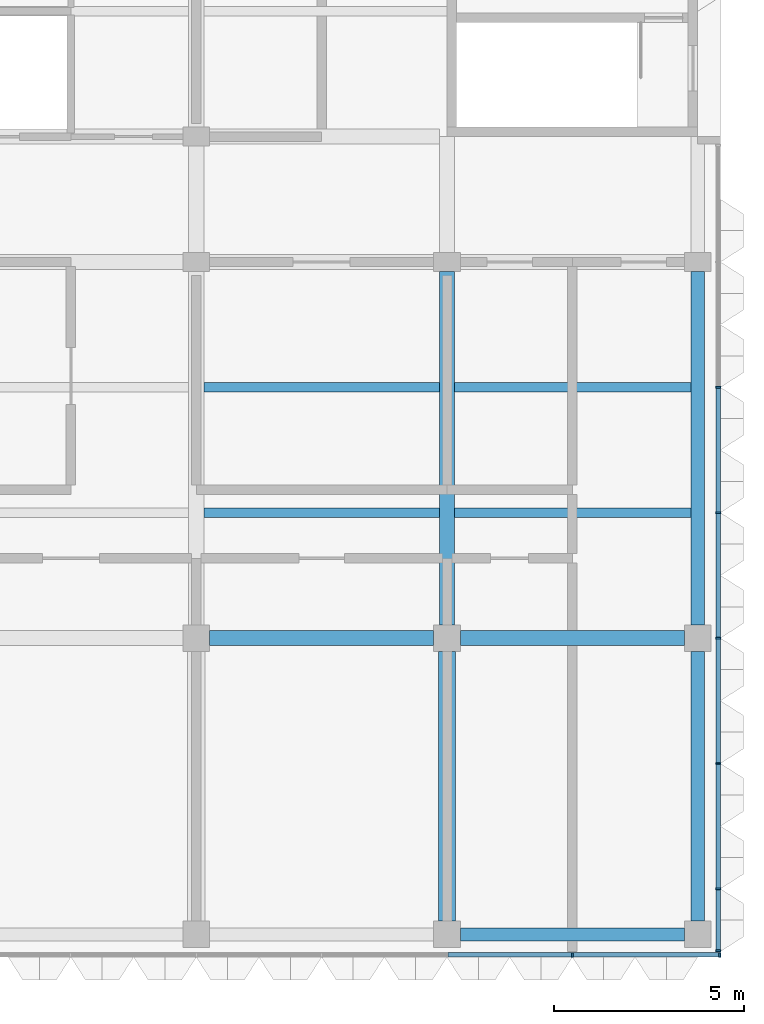
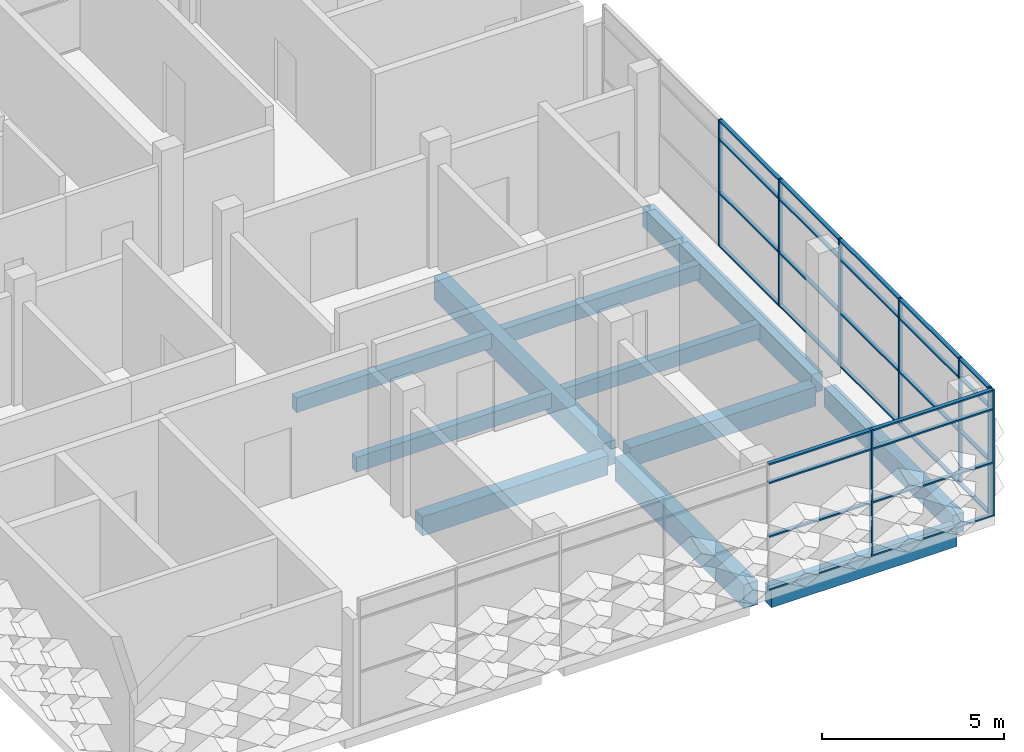
# One storey, part 3 of 21: 36 members, 11 beams, 2 elements without a shape of their own.
"""IFC4 building model written with IfcOpenShell, lengths in metres."""

from ifc_helpers import new_model, si_unit, direction, frame, origin, origin_2d, place, context, subcontext, project, spatial, rectangle, extrude, material, material_profile, profile_set, type_object, element, aggregate, save


model = new_model("IFC4")

# Units and contexts
model_context = context("Model", 3, precision=1e-05, world=origin(), true_north=direction((0.0, 1.0)))
body_context = subcontext(model_context, "Body", "Model", "MODEL_VIEW")
ifc_project = project(units=[si_unit("LENGTHUNIT", "METRE"), si_unit("AREAUNIT", "SQUARE_METRE"), si_unit("VOLUMEUNIT", "CUBIC_METRE"), si_unit("PLANEANGLEUNIT", "RADIAN"), si_unit("MASSUNIT", "GRAM", prefix="KILO")], contexts=[model_context])

# Site, building, storey
site_placement = place(None, origin())
site = spatial("IfcSite", under=ifc_project, at=site_placement, CompositionType="ELEMENT")
building_placement = place(site_placement, origin())
building = spatial("IfcBuilding", under=site, at=building_placement, Name="Lantern Court Research Institute", CompositionType="ELEMENT")
storey_placement = place(building_placement, frame((0.0, 0.0, 41.39990234375)))
storey = spatial("IfcBuildingStorey", under=building, at=storey_placement, Name="L09", CompositionType="ELEMENT", Elevation=41.39990234375)

# Curtain wall, members
ifc_material_1 = material(Name="Aluminium alloy 6063-T6", Category="aluminium")
curtain_wall_type_1 = type_object("IfcCurtainWallType", Name="Curtain wall 21250 x 4250 x 120 aluminium frame", PredefinedType="NOTDEFINED", material=ifc_material_1)
curtain_wall_1_placement = place(storey_placement, origin())
curtain_wall_1 = element("IfcCurtainWall", 1, at=curtain_wall_1_placement, inside=storey, type_object=curtain_wall_type_1, Name="Curtain wall CW089", PredefinedType="NOTDEFINED")
ifc_material_2 = material(Name="Aluminium alloy 6063-T6", Category="aluminium")
ifc_material_profile_1 = material_profile(ifc_material_2, rectangle(XDim=0.1201171875, YDim=0.050048828125, at=origin_2d()), Name="Mullion 120 x 50")
ifc_profile_set_1 = profile_set([ifc_material_profile_1], Name="Aluminium alloy 6063-T6")
member_type_1 = type_object("IfcMemberType", Name="Mullion 120 x 50 aluminium", PredefinedType="MULLION", material=ifc_profile_set_1)
member_1_placement = place(storey_placement, frame((79.739990234375, -8.22509765625, 0.0), z_axis=(0.0, 0.0, 1.0), x_axis=(1.0, 0.0, 0.0)))
member_1 = element("IfcMember", 2, at=member_1_placement, type_object=member_type_1, Name="CW089 mullion 1", PredefinedType="MULLION", context=body_context, shape_type="SweptSolid", body=[
    extrude(rectangle(XDim=0.1201171875, YDim=0.050048828125, at=origin_2d()), origin(), (0.0, 0.0, 1.0), 4.25),
])
member_2_placement = place(storey_placement, frame((79.739990234375, -6.60009765625, 0.0), z_axis=(0.0, 0.0, 1.0), x_axis=(1.0, 0.0, 0.0)))
member_2 = element("IfcMember", 3, at=member_2_placement, type_object=member_type_1, Name="CW089 mullion 2", PredefinedType="MULLION", context=body_context, shape_type="SweptSolid", body=[
    extrude(rectangle(XDim=0.1201171875, YDim=0.050048828125, at=origin_2d()), origin(), (0.0, 0.0, 1.0), 4.25),
])
member_3_placement = place(storey_placement, frame((79.739990234375, -3.300048828125, 0.0), z_axis=(0.0, 0.0, 1.0), x_axis=(1.0, 0.0, 0.0)))
member_3 = element("IfcMember", 4, at=member_3_placement, type_object=member_type_1, Name="CW089 mullion 3", PredefinedType="MULLION", context=body_context, shape_type="SweptSolid", body=[
    extrude(rectangle(XDim=0.1201171875, YDim=0.050048828125, at=origin_2d()), origin(), (0.0, 0.0, 1.0), 4.25),
])
member_4_placement = place(storey_placement, frame((79.739990234375, 0.0, 0.0), z_axis=(0.0, 0.0, 1.0), x_axis=(1.0, 0.0, 0.0)))
member_4 = element("IfcMember", 5, at=member_4_placement, type_object=member_type_1, Name="CW089 mullion 4", PredefinedType="MULLION", context=body_context, shape_type="SweptSolid", body=[
    extrude(rectangle(XDim=0.1201171875, YDim=0.050048828125, at=origin_2d()), origin(), (0.0, 0.0, 1.0), 4.25),
])
member_5_placement = place(storey_placement, frame((79.739990234375, 3.300048828125, 0.0), z_axis=(0.0, 0.0, 1.0), x_axis=(1.0, 0.0, 0.0)))
member_5 = element("IfcMember", 6, at=member_5_placement, type_object=member_type_1, Name="CW089 mullion 5", PredefinedType="MULLION", context=body_context, shape_type="SweptSolid", body=[
    extrude(rectangle(XDim=0.1201171875, YDim=0.050048828125, at=origin_2d()), origin(), (0.0, 0.0, 1.0), 4.25),
])
member_6_placement = place(storey_placement, frame((79.739990234375, 6.60009765625, 0.0), z_axis=(0.0, 0.0, 1.0), x_axis=(1.0, 0.0, 0.0)))
member_6 = element("IfcMember", 7, at=member_6_placement, type_object=member_type_1, Name="CW089 mullion 6", PredefinedType="MULLION", context=body_context, shape_type="SweptSolid", body=[
    extrude(rectangle(XDim=0.1201171875, YDim=0.050048828125, at=origin_2d()), origin(), (0.0, 0.0, 1.0), 4.25),
])

ifc_material_3 = material(Name="Aluminium alloy 6063-T6", Category="aluminium")
curtain_wall_type_2 = type_object("IfcCurtainWallType", Name="Curtain wall 20200 x 4250 x 120 aluminium frame", PredefinedType="NOTDEFINED", material=ifc_material_3)
curtain_wall_2_placement = place(storey_placement, origin())
curtain_wall_2 = element("IfcCurtainWall", 8, at=curtain_wall_2_placement, inside=storey, type_object=curtain_wall_type_2, Name="Curtain wall CW091", PredefinedType="NOTDEFINED")
member_7_placement = place(storey_placement, frame((75.89990234375, -8.340087890625, 0.0), z_axis=(0.0, 0.0, 1.0), x_axis=(0.0, -1.0, 0.0)))
member_7 = element("IfcMember", 9, at=member_7_placement, type_object=member_type_1, Name="CW091 mullion 6", PredefinedType="MULLION", context=body_context, shape_type="SweptSolid", body=[
    extrude(rectangle(XDim=0.1201171875, YDim=0.050048828125, at=origin_2d()), origin(), (0.0, 0.0, 1.0), 4.25),
])
member_8_placement = place(storey_placement, frame((79.77490234375, -8.340087890625, 0.0), z_axis=(0.0, 0.0, 1.0), x_axis=(0.0, -1.0, 0.0)))
member_8 = element("IfcMember", 10, at=member_8_placement, type_object=member_type_1, Name="CW091 mullion 7", PredefinedType="MULLION", context=body_context, shape_type="SweptSolid", body=[
    extrude(rectangle(XDim=0.1201171875, YDim=0.050048828125, at=origin_2d()), origin(), (0.0, 0.0, 1.0), 4.25),
])

# Beams
ifc_material_4 = material(Name="Concrete C40/50", Category="concrete")
ifc_material_profile_2 = material_profile(ifc_material_4, rectangle(XDim=0.39990234375, YDim=0.64990234375, at=origin_2d()), Name="RC beam 400 x 650")
ifc_profile_set_2 = profile_set([ifc_material_profile_2], Name="Concrete C40/50")
beam_type_1 = type_object("IfcBeamType", Name="RC beam 400 x 650", PredefinedType="BEAM", material=ifc_profile_set_2)
beam_1_placement = place(storey_placement, frame((66.35009765625, 0.0, -0.625), z_axis=(1.0, 0.0, 0.0), x_axis=(0.0, 1.0, 0.0)))
element("IfcBeam", 11, at=beam_1_placement, inside=storey, type_object=beam_type_1, Name="Beam L09 grid A/11-12", PredefinedType="BEAM", context=body_context, shape_type="SweptSolid", body=[
    extrude(rectangle(XDim=0.39990234375, YDim=0.64990234375, at=origin_2d()), origin(), (0.0, 0.0, 1.0), 5.89990234375),
])
beam_2_placement = place(storey_placement, frame((72.949951171875, 0.0, -0.625), z_axis=(1.0, 0.0, 0.0), x_axis=(0.0, 1.0, 0.0)))
element("IfcBeam", 12, at=beam_2_placement, inside=storey, type_object=beam_type_1, Name="Beam L09 grid A/12-13", PredefinedType="BEAM", context=body_context, shape_type="SweptSolid", body=[
    extrude(rectangle(XDim=0.39990234375, YDim=0.64990234375, at=origin_2d()), origin(), (0.0, 0.0, 1.0), 5.900146484375),
])
ifc_material_5 = material(Name="Concrete C40/50", Category="concrete")
ifc_material_profile_3 = material_profile(ifc_material_5, rectangle(XDim=0.35009765625, YDim=0.64990234375, at=origin_2d()), Name="RC beam 350 x 650")
ifc_profile_set_3 = profile_set([ifc_material_profile_3], Name="Concrete C40/50")
beam_type_2 = type_object("IfcBeamType", Name="RC edge beam 350 x 650", PredefinedType="BEAM", material=ifc_profile_set_3)
beam_3_placement = place(storey_placement, frame((79.199951171875, -7.449951171875, -0.625), z_axis=(0.0, 1.0, 0.0), x_axis=(-1.0, 0.0, 0.0)))
element("IfcBeam", 13, at=beam_3_placement, inside=storey, type_object=beam_type_2, Name="Edge beam L09 grid 13/Z-A", PredefinedType="BEAM", context=body_context, shape_type="SweptSolid", body=[
    extrude(rectangle(XDim=0.35009765625, YDim=0.64990234375, at=origin_2d()), origin(), (0.0, 0.0, 1.0), 7.099853515625),
])
beam_4_placement = place(storey_placement, frame((79.199951171875, 0.35009765625, -0.625), z_axis=(0.0, 1.0, 0.0), x_axis=(-1.0, 0.0, 0.0)))
element("IfcBeam", 14, at=beam_4_placement, inside=storey, type_object=beam_type_2, Name="Edge beam L09 grid 13/A-B", PredefinedType="BEAM", context=body_context, shape_type="SweptSolid", body=[
    extrude(rectangle(XDim=0.35009765625, YDim=0.64990234375, at=origin_2d()), origin(), (0.0, 0.0, 1.0), 9.2998046875),
])
beam_5_placement = place(storey_placement, frame((72.949951171875, -7.800048828125, -0.625), z_axis=(1.0, 0.0, 0.0), x_axis=(0.0, 1.0, 0.0)))
element("IfcBeam", 15, at=beam_5_placement, inside=storey, type_object=beam_type_2, Name="Edge beam L09 grid Z/12-13", PredefinedType="BEAM", context=body_context, shape_type="SweptSolid", body=[
    extrude(rectangle(XDim=0.35009765625, YDim=0.64990234375, at=origin_2d()), origin(), (0.0, 0.0, 1.0), 5.900146484375),
])
ifc_material_6 = material(Name="Concrete C40/50", Category="concrete")
ifc_material_profile_4 = material_profile(ifc_material_6, rectangle(XDim=0.39990234375, YDim=0.800048828125, at=origin_2d()), Name="RC beam 400 x 800")
ifc_profile_set_4 = profile_set([ifc_material_profile_4], Name="Concrete C40/50")
beam_type_3 = type_object("IfcBeamType", Name="RC girder 400 x 800", PredefinedType="BEAM", material=ifc_profile_set_4)
beam_6_placement = place(storey_placement, frame((72.60009765625, 0.35009765625, -0.699951171875), z_axis=(0.0, 1.0, 0.0), x_axis=(-1.0, 0.0, 0.0)))
element("IfcBeam", 16, at=beam_6_placement, inside=storey, type_object=beam_type_3, Name="Girder L09 grid 12/A-B", PredefinedType="BEAM", context=body_context, shape_type="SweptSolid", body=[
    extrude(rectangle(XDim=0.39990234375, YDim=0.800048828125, at=origin_2d()), origin(), (0.0, 0.0, 1.0), 9.2998046875),
])
ifc_material_7 = material(Name="Concrete C40/50", Category="concrete")
ifc_material_profile_5 = material_profile(ifc_material_7, rectangle(XDim=0.449951171875, YDim=0.800048828125, at=origin_2d()), Name="RC beam 450 x 800")
ifc_profile_set_5 = profile_set([ifc_material_profile_5], Name="Concrete C40/50")
beam_type_4 = type_object("IfcBeamType", Name="RC girder 450 x 800", PredefinedType="BEAM", material=ifc_profile_set_5)
beam_7_placement = place(storey_placement, frame((72.60009765625, -7.449951171875, -0.699951171875), z_axis=(0.0, 1.0, 0.0), x_axis=(-1.0, 0.0, 0.0)))
element("IfcBeam", 17, at=beam_7_placement, inside=storey, type_object=beam_type_4, Name="Girder L09 grid 12/Z-A", PredefinedType="BEAM", context=body_context, shape_type="SweptSolid", body=[
    extrude(rectangle(XDim=0.449951171875, YDim=0.800048828125, at=origin_2d()), origin(), (0.0, 0.0, 1.0), 7.099853515625),
])
ifc_material_8 = material(Name="Concrete C40/50", Category="concrete")
ifc_material_profile_6 = material_profile(ifc_material_8, rectangle(XDim=0.25, YDim=0.5, at=origin_2d()), Name="RC beam 250 x 500")
ifc_profile_set_6 = profile_set([ifc_material_profile_6], Name="Concrete C40/50")
beam_type_5 = type_object("IfcBeamType", Name="RC secondary beam 250 x 500", PredefinedType="BEAM", material=ifc_profile_set_6)
beam_8_placement = place(storey_placement, frame((66.199951171875, 3.300048828125, -0.5498046875), z_axis=(1.0, 0.0, 0.0), x_axis=(0.0, 1.0, 0.0)))
element("IfcBeam", 18, at=beam_8_placement, inside=storey, type_object=beam_type_5, Name="Secondary beam L09 grids 11-12 / A-B, line 1", PredefinedType="BEAM", context=body_context, shape_type="SweptSolid", body=[
    extrude(rectangle(XDim=0.25, YDim=0.5, at=origin_2d()), origin(), (0.0, 0.0, 1.0), 6.199951171875),
])
beam_9_placement = place(storey_placement, frame((72.800048828125, 3.300048828125, -0.5498046875), z_axis=(1.0, 0.0, 0.0), x_axis=(0.0, 1.0, 0.0)))
element("IfcBeam", 19, at=beam_9_placement, inside=storey, type_object=beam_type_5, Name="Secondary beam L09 grids 12-13 / A-B, line 1", PredefinedType="BEAM", context=body_context, shape_type="SweptSolid", body=[
    extrude(rectangle(XDim=0.25, YDim=0.5, at=origin_2d()), origin(), (0.0, 0.0, 1.0), 6.224853515625),
])
beam_10_placement = place(storey_placement, frame((66.199951171875, 6.60009765625, -0.5498046875), z_axis=(1.0, 0.0, 0.0), x_axis=(0.0, 1.0, 0.0)))
element("IfcBeam", 20, at=beam_10_placement, inside=storey, type_object=beam_type_5, Name="Secondary beam L09 grids 11-12 / A-B, line 2", PredefinedType="BEAM", context=body_context, shape_type="SweptSolid", body=[
    extrude(rectangle(XDim=0.25, YDim=0.5, at=origin_2d()), origin(), (0.0, 0.0, 1.0), 6.199951171875),
])
beam_11_placement = place(storey_placement, frame((72.800048828125, 6.60009765625, -0.5498046875), z_axis=(1.0, 0.0, 0.0), x_axis=(0.0, 1.0, 0.0)))
element("IfcBeam", 21, at=beam_11_placement, inside=storey, type_object=beam_type_5, Name="Secondary beam L09 grids 12-13 / A-B, line 2", PredefinedType="BEAM", context=body_context, shape_type="SweptSolid", body=[
    extrude(rectangle(XDim=0.25, YDim=0.5, at=origin_2d()), origin(), (0.0, 0.0, 1.0), 6.224853515625),
])

# Member
ifc_material_9 = material(Name="Aluminium alloy 6063-T6", Category="aluminium")
ifc_material_profile_7 = material_profile(ifc_material_9, rectangle(XDim=0.1201171875, YDim=0.050048828125, at=origin_2d()), Name="Transom 120 x 50")
ifc_profile_set_7 = profile_set([ifc_material_profile_7], Name="Aluminium alloy 6063-T6")
member_type_2 = type_object("IfcMemberType", Name="Transom 120 x 50 aluminium", PredefinedType="USERDEFINED", material=ifc_profile_set_7)
member_9_placement = place(storey_placement, frame((79.739990234375, -6.625, 0.025146484375), z_axis=(0.0, -1.0, 0.0), x_axis=(1.0, 0.0, 0.0)))
member_9 = element("IfcMember", 22, at=member_9_placement, type_object=member_type_2, Name="CW089 transom 1.1", ObjectType="TRANSOM", PredefinedType="USERDEFINED", context=body_context, shape_type="SweptSolid", body=[
    extrude(rectangle(XDim=0.1201171875, YDim=0.050048828125, at=origin_2d()), origin(), (0.0, 0.0, 1.0), 1.574951171875),
])

member_10_placement = place(storey_placement, frame((79.739990234375, -6.625, 1.800048828125), z_axis=(0.0, -1.0, 0.0), x_axis=(1.0, 0.0, 0.0)))
member_10 = element("IfcMember", 23, at=member_10_placement, type_object=member_type_2, Name="CW089 transom 1.2", ObjectType="TRANSOM", PredefinedType="USERDEFINED", context=body_context, shape_type="SweptSolid", body=[
    extrude(rectangle(XDim=0.1201171875, YDim=0.050048828125, at=origin_2d()), origin(), (0.0, 0.0, 1.0), 1.574951171875),
])

member_11_placement = place(storey_placement, frame((79.739990234375, -6.625, 3.60009765625), z_axis=(0.0, -1.0, 0.0), x_axis=(1.0, 0.0, 0.0)))
member_11 = element("IfcMember", 24, at=member_11_placement, type_object=member_type_2, Name="CW089 transom 1.3", ObjectType="TRANSOM", PredefinedType="USERDEFINED", context=body_context, shape_type="SweptSolid", body=[
    extrude(rectangle(XDim=0.1201171875, YDim=0.050048828125, at=origin_2d()), origin(), (0.0, 0.0, 1.0), 1.574951171875),
])

member_12_placement = place(storey_placement, frame((79.739990234375, -6.625, 4.22509765625), z_axis=(0.0, -1.0, 0.0), x_axis=(1.0, 0.0, 0.0)))
member_12 = element("IfcMember", 25, at=member_12_placement, type_object=member_type_2, Name="CW089 transom 1.4", ObjectType="TRANSOM", PredefinedType="USERDEFINED", context=body_context, shape_type="SweptSolid", body=[
    extrude(rectangle(XDim=0.1201171875, YDim=0.050048828125, at=origin_2d()), origin(), (0.0, 0.0, 1.0), 1.574951171875),
])

member_13_placement = place(storey_placement, frame((79.739990234375, -3.324951171875, 0.025146484375), z_axis=(0.0, -1.0, 0.0), x_axis=(1.0, 0.0, 0.0)))
member_13 = element("IfcMember", 26, at=member_13_placement, type_object=member_type_2, Name="CW089 transom 2.1", ObjectType="TRANSOM", PredefinedType="USERDEFINED", context=body_context, shape_type="SweptSolid", body=[
    extrude(rectangle(XDim=0.1201171875, YDim=0.050048828125, at=origin_2d()), origin(), (0.0, 0.0, 1.0), 3.25),
])

member_14_placement = place(storey_placement, frame((79.739990234375, -3.324951171875, 1.800048828125), z_axis=(0.0, -1.0, 0.0), x_axis=(1.0, 0.0, 0.0)))
member_14 = element("IfcMember", 27, at=member_14_placement, type_object=member_type_2, Name="CW089 transom 2.2", ObjectType="TRANSOM", PredefinedType="USERDEFINED", context=body_context, shape_type="SweptSolid", body=[
    extrude(rectangle(XDim=0.1201171875, YDim=0.050048828125, at=origin_2d()), origin(), (0.0, 0.0, 1.0), 3.25),
])

member_15_placement = place(storey_placement, frame((79.739990234375, -3.324951171875, 3.60009765625), z_axis=(0.0, -1.0, 0.0), x_axis=(1.0, 0.0, 0.0)))
member_15 = element("IfcMember", 28, at=member_15_placement, type_object=member_type_2, Name="CW089 transom 2.3", ObjectType="TRANSOM", PredefinedType="USERDEFINED", context=body_context, shape_type="SweptSolid", body=[
    extrude(rectangle(XDim=0.1201171875, YDim=0.050048828125, at=origin_2d()), origin(), (0.0, 0.0, 1.0), 3.25),
])

member_16_placement = place(storey_placement, frame((79.739990234375, -3.324951171875, 4.22509765625), z_axis=(0.0, -1.0, 0.0), x_axis=(1.0, 0.0, 0.0)))
member_16 = element("IfcMember", 29, at=member_16_placement, type_object=member_type_2, Name="CW089 transom 2.4", ObjectType="TRANSOM", PredefinedType="USERDEFINED", context=body_context, shape_type="SweptSolid", body=[
    extrude(rectangle(XDim=0.1201171875, YDim=0.050048828125, at=origin_2d()), origin(), (0.0, 0.0, 1.0), 3.25),
])

member_17_placement = place(storey_placement, frame((79.739990234375, -0.02490234375, 0.025146484375), z_axis=(0.0, -1.0, 0.0), x_axis=(1.0, 0.0, 0.0)))
member_17 = element("IfcMember", 30, at=member_17_placement, type_object=member_type_2, Name="CW089 transom 3.1", ObjectType="TRANSOM", PredefinedType="USERDEFINED", context=body_context, shape_type="SweptSolid", body=[
    extrude(rectangle(XDim=0.1201171875, YDim=0.050048828125, at=origin_2d()), origin(), (0.0, 0.0, 1.0), 3.25),
])

member_18_placement = place(storey_placement, frame((79.739990234375, -0.02490234375, 1.800048828125), z_axis=(0.0, -1.0, 0.0), x_axis=(1.0, 0.0, 0.0)))
member_18 = element("IfcMember", 31, at=member_18_placement, type_object=member_type_2, Name="CW089 transom 3.2", ObjectType="TRANSOM", PredefinedType="USERDEFINED", context=body_context, shape_type="SweptSolid", body=[
    extrude(rectangle(XDim=0.1201171875, YDim=0.050048828125, at=origin_2d()), origin(), (0.0, 0.0, 1.0), 3.25),
])

member_19_placement = place(storey_placement, frame((79.739990234375, -0.02490234375, 3.60009765625), z_axis=(0.0, -1.0, 0.0), x_axis=(1.0, 0.0, 0.0)))
member_19 = element("IfcMember", 32, at=member_19_placement, type_object=member_type_2, Name="CW089 transom 3.3", ObjectType="TRANSOM", PredefinedType="USERDEFINED", context=body_context, shape_type="SweptSolid", body=[
    extrude(rectangle(XDim=0.1201171875, YDim=0.050048828125, at=origin_2d()), origin(), (0.0, 0.0, 1.0), 3.25),
])

member_20_placement = place(storey_placement, frame((79.739990234375, -0.02490234375, 4.22509765625), z_axis=(0.0, -1.0, 0.0), x_axis=(1.0, 0.0, 0.0)))
member_20 = element("IfcMember", 33, at=member_20_placement, type_object=member_type_2, Name="CW089 transom 3.4", ObjectType="TRANSOM", PredefinedType="USERDEFINED", context=body_context, shape_type="SweptSolid", body=[
    extrude(rectangle(XDim=0.1201171875, YDim=0.050048828125, at=origin_2d()), origin(), (0.0, 0.0, 1.0), 3.25),
])

member_21_placement = place(storey_placement, frame((79.739990234375, 3.27490234375, 0.025146484375), z_axis=(0.0, -1.0, 0.0), x_axis=(1.0, 0.0, 0.0)))
member_21 = element("IfcMember", 34, at=member_21_placement, type_object=member_type_2, Name="CW089 transom 4.1", ObjectType="TRANSOM", PredefinedType="USERDEFINED", context=body_context, shape_type="SweptSolid", body=[
    extrude(rectangle(XDim=0.1201171875, YDim=0.050048828125, at=origin_2d()), origin(), (0.0, 0.0, 1.0), 3.25),
])

member_22_placement = place(storey_placement, frame((79.739990234375, 3.27490234375, 1.800048828125), z_axis=(0.0, -1.0, 0.0), x_axis=(1.0, 0.0, 0.0)))
member_22 = element("IfcMember", 35, at=member_22_placement, type_object=member_type_2, Name="CW089 transom 4.2", ObjectType="TRANSOM", PredefinedType="USERDEFINED", context=body_context, shape_type="SweptSolid", body=[
    extrude(rectangle(XDim=0.1201171875, YDim=0.050048828125, at=origin_2d()), origin(), (0.0, 0.0, 1.0), 3.25),
])

member_23_placement = place(storey_placement, frame((79.739990234375, 3.27490234375, 3.60009765625), z_axis=(0.0, -1.0, 0.0), x_axis=(1.0, 0.0, 0.0)))
member_23 = element("IfcMember", 36, at=member_23_placement, type_object=member_type_2, Name="CW089 transom 4.3", ObjectType="TRANSOM", PredefinedType="USERDEFINED", context=body_context, shape_type="SweptSolid", body=[
    extrude(rectangle(XDim=0.1201171875, YDim=0.050048828125, at=origin_2d()), origin(), (0.0, 0.0, 1.0), 3.25),
])

member_24_placement = place(storey_placement, frame((79.739990234375, 3.27490234375, 4.22509765625), z_axis=(0.0, -1.0, 0.0), x_axis=(1.0, 0.0, 0.0)))
member_24 = element("IfcMember", 37, at=member_24_placement, type_object=member_type_2, Name="CW089 transom 4.4", ObjectType="TRANSOM", PredefinedType="USERDEFINED", context=body_context, shape_type="SweptSolid", body=[
    extrude(rectangle(XDim=0.1201171875, YDim=0.050048828125, at=origin_2d()), origin(), (0.0, 0.0, 1.0), 3.25),
])

member_25_placement = place(storey_placement, frame((79.739990234375, 6.574951171875, 0.025146484375), z_axis=(0.0, -1.0, 0.0), x_axis=(1.0, 0.0, 0.0)))
member_25 = element("IfcMember", 38, at=member_25_placement, type_object=member_type_2, Name="CW089 transom 5.1", ObjectType="TRANSOM", PredefinedType="USERDEFINED", context=body_context, shape_type="SweptSolid", body=[
    extrude(rectangle(XDim=0.1201171875, YDim=0.050048828125, at=origin_2d()), origin(), (0.0, 0.0, 1.0), 3.25),
])

member_26_placement = place(storey_placement, frame((79.739990234375, 6.574951171875, 1.800048828125), z_axis=(0.0, -1.0, 0.0), x_axis=(1.0, 0.0, 0.0)))
member_26 = element("IfcMember", 39, at=member_26_placement, type_object=member_type_2, Name="CW089 transom 5.2", ObjectType="TRANSOM", PredefinedType="USERDEFINED", context=body_context, shape_type="SweptSolid", body=[
    extrude(rectangle(XDim=0.1201171875, YDim=0.050048828125, at=origin_2d()), origin(), (0.0, 0.0, 1.0), 3.25),
])

member_27_placement = place(storey_placement, frame((79.739990234375, 6.574951171875, 3.60009765625), z_axis=(0.0, -1.0, 0.0), x_axis=(1.0, 0.0, 0.0)))
member_27 = element("IfcMember", 40, at=member_27_placement, type_object=member_type_2, Name="CW089 transom 5.3", ObjectType="TRANSOM", PredefinedType="USERDEFINED", context=body_context, shape_type="SweptSolid", body=[
    extrude(rectangle(XDim=0.1201171875, YDim=0.050048828125, at=origin_2d()), origin(), (0.0, 0.0, 1.0), 3.25),
])

member_28_placement = place(storey_placement, frame((79.739990234375, 6.574951171875, 4.22509765625), z_axis=(0.0, -1.0, 0.0), x_axis=(1.0, 0.0, 0.0)))
member_28 = element("IfcMember", 41, at=member_28_placement, type_object=member_type_2, Name="CW089 transom 5.4", ObjectType="TRANSOM", PredefinedType="USERDEFINED", context=body_context, shape_type="SweptSolid", body=[
    extrude(rectangle(XDim=0.1201171875, YDim=0.050048828125, at=origin_2d()), origin(), (0.0, 0.0, 1.0), 3.25),
])

aggregate(curtain_wall_1, [member_1, member_2, member_3, member_4, member_5, member_6, member_9, member_10, member_11, member_12, member_13, member_14, member_15, member_16, member_17, member_18, member_19, member_20, member_21, member_22, member_23, member_24, member_25, member_26, member_27, member_28])

member_29_placement = place(storey_placement, frame((75.875, -8.340087890625, 0.025146484375), z_axis=(-1.0, 0.0, 0.0), x_axis=(0.0, -1.0, 0.0)))
member_29 = element("IfcMember", 42, at=member_29_placement, type_object=member_type_2, Name="CW091 transom 5.1", ObjectType="TRANSOM", PredefinedType="USERDEFINED", context=body_context, shape_type="SweptSolid", body=[
    extrude(rectangle(XDim=0.1201171875, YDim=0.050048828125, at=origin_2d()), origin(), (0.0, 0.0, 1.0), 3.25),
])

member_30_placement = place(storey_placement, frame((75.875, -8.340087890625, 1.800048828125), z_axis=(-1.0, 0.0, 0.0), x_axis=(0.0, -1.0, 0.0)))
member_30 = element("IfcMember", 43, at=member_30_placement, type_object=member_type_2, Name="CW091 transom 5.2", ObjectType="TRANSOM", PredefinedType="USERDEFINED", context=body_context, shape_type="SweptSolid", body=[
    extrude(rectangle(XDim=0.1201171875, YDim=0.050048828125, at=origin_2d()), origin(), (0.0, 0.0, 1.0), 3.25),
])

member_31_placement = place(storey_placement, frame((75.875, -8.340087890625, 3.60009765625), z_axis=(-1.0, 0.0, 0.0), x_axis=(0.0, -1.0, 0.0)))
member_31 = element("IfcMember", 44, at=member_31_placement, type_object=member_type_2, Name="CW091 transom 5.3", ObjectType="TRANSOM", PredefinedType="USERDEFINED", context=body_context, shape_type="SweptSolid", body=[
    extrude(rectangle(XDim=0.1201171875, YDim=0.050048828125, at=origin_2d()), origin(), (0.0, 0.0, 1.0), 3.25),
])

member_32_placement = place(storey_placement, frame((75.875, -8.340087890625, 4.22509765625), z_axis=(-1.0, 0.0, 0.0), x_axis=(0.0, -1.0, 0.0)))
member_32 = element("IfcMember", 45, at=member_32_placement, type_object=member_type_2, Name="CW091 transom 5.4", ObjectType="TRANSOM", PredefinedType="USERDEFINED", context=body_context, shape_type="SweptSolid", body=[
    extrude(rectangle(XDim=0.1201171875, YDim=0.050048828125, at=origin_2d()), origin(), (0.0, 0.0, 1.0), 3.25),
])

member_33_placement = place(storey_placement, frame((79.75, -8.340087890625, 0.025146484375), z_axis=(-1.0, 0.0, 0.0), x_axis=(0.0, -1.0, 0.0)))
member_33 = element("IfcMember", 46, at=member_33_placement, type_object=member_type_2, Name="CW091 transom 6.1", ObjectType="TRANSOM", PredefinedType="USERDEFINED", context=body_context, shape_type="SweptSolid", body=[
    extrude(rectangle(XDim=0.1201171875, YDim=0.050048828125, at=origin_2d()), origin(), (0.0, 0.0, 1.0), 3.824951171875),
])

member_34_placement = place(storey_placement, frame((79.75, -8.340087890625, 1.800048828125), z_axis=(-1.0, 0.0, 0.0), x_axis=(0.0, -1.0, 0.0)))
member_34 = element("IfcMember", 47, at=member_34_placement, type_object=member_type_2, Name="CW091 transom 6.2", ObjectType="TRANSOM", PredefinedType="USERDEFINED", context=body_context, shape_type="SweptSolid", body=[
    extrude(rectangle(XDim=0.1201171875, YDim=0.050048828125, at=origin_2d()), origin(), (0.0, 0.0, 1.0), 3.824951171875),
])

member_35_placement = place(storey_placement, frame((79.75, -8.340087890625, 3.60009765625), z_axis=(-1.0, 0.0, 0.0), x_axis=(0.0, -1.0, 0.0)))
member_35 = element("IfcMember", 48, at=member_35_placement, type_object=member_type_2, Name="CW091 transom 6.3", ObjectType="TRANSOM", PredefinedType="USERDEFINED", context=body_context, shape_type="SweptSolid", body=[
    extrude(rectangle(XDim=0.1201171875, YDim=0.050048828125, at=origin_2d()), origin(), (0.0, 0.0, 1.0), 3.824951171875),
])

member_36_placement = place(storey_placement, frame((79.75, -8.340087890625, 4.22509765625), z_axis=(-1.0, 0.0, 0.0), x_axis=(0.0, -1.0, 0.0)))
member_36 = element("IfcMember", 49, at=member_36_placement, type_object=member_type_2, Name="CW091 transom 6.4", ObjectType="TRANSOM", PredefinedType="USERDEFINED", context=body_context, shape_type="SweptSolid", body=[
    extrude(rectangle(XDim=0.1201171875, YDim=0.050048828125, at=origin_2d()), origin(), (0.0, 0.0, 1.0), 3.824951171875),
])

aggregate(curtain_wall_2, [member_7, member_8, member_29, member_30, member_31, member_32, member_33, member_34, member_35, member_36])

save(model, "model.ifc")
